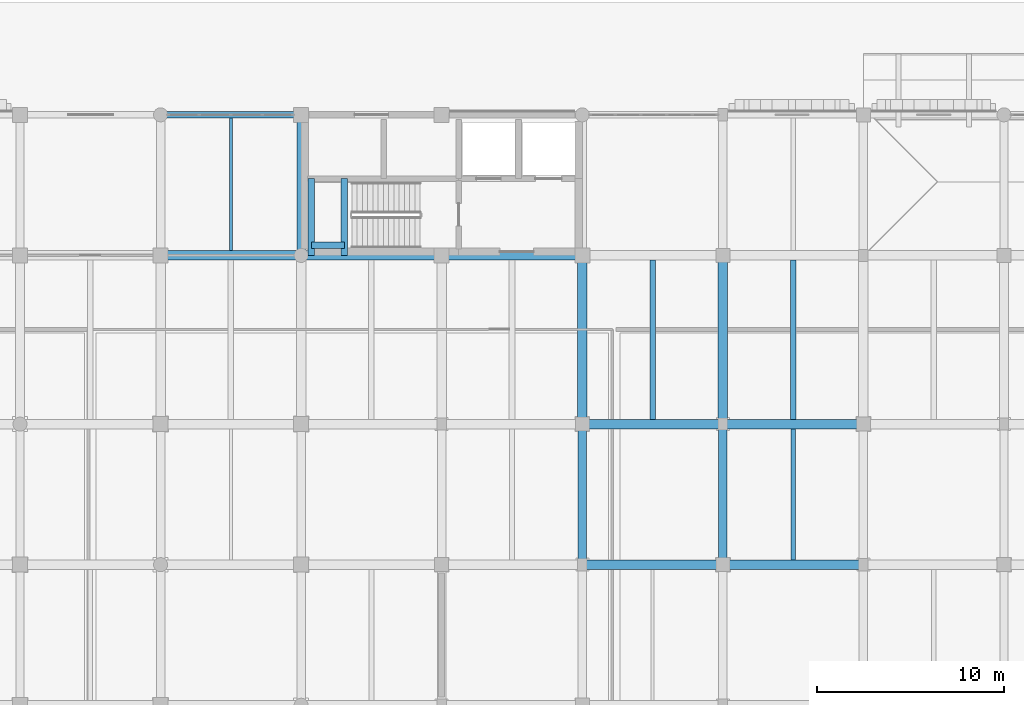
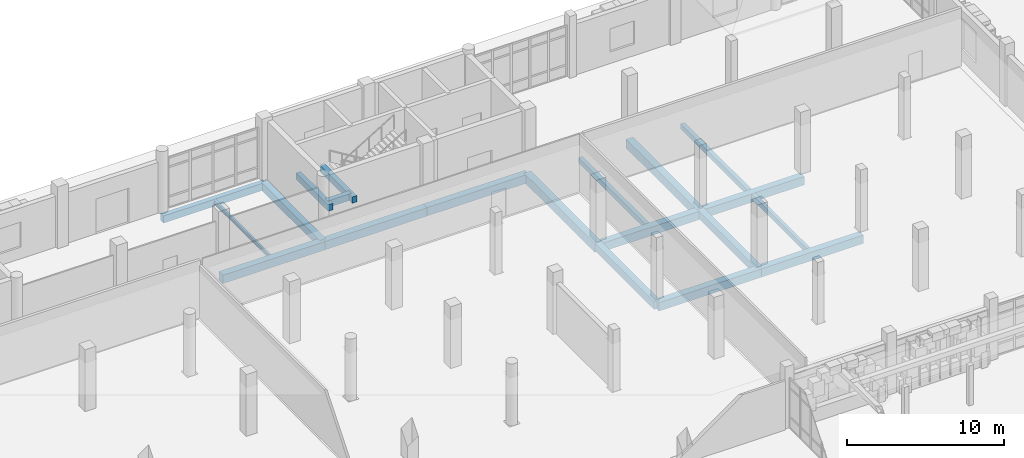
# One storey, part 52 of 125: 20 beams.
"""IFC4 building model written with IfcOpenShell, lengths in metres."""

import ifcopenshell
import ifcopenshell.guid

model = None  # the IFC model being written
_history = None  # IfcOwnerHistory: only IFC2X3 demands one
_inside = {}  # id of a spatial element -> (the spatial element, [elements in it])
_under = {}  # id of a project, library or spatial element -> (it, [spatial elements below it])
_declared = {}  # id of a project -> (the project, [libraries it declares])
_typed = {}  # id of a type object -> (the type object, [elements of that type])
_made_of = {}  # id of a material, layer set ... -> (it, [elements and type objects made of it])


def new_model(schema):
    """Start an empty IFC model of exactly this schema.

    Asked for "IFC4X3", IfcOpenShell would pick the latest addendum, in which some entities
    have other attributes; the version numbers below select the first issue.
    IFC2X3 requires an IfcOwnerHistory on every rooted entity: one is made here for all.
    """
    global model, _history
    if schema == "IFC4X3":
        model = ifcopenshell.file(schema_version=(4, 3, 0, 0))
    else:
        model = ifcopenshell.file(schema=schema)
    _inside.clear()
    _under.clear()
    _declared.clear()
    _typed.clear()
    _made_of.clear()
    _history = None
    if model.schema == "IFC2X3":
        org = make("IfcOrganization", Name="unknown")
        user = make(
            "IfcPersonAndOrganization",
            ThePerson=make("IfcPerson", FamilyName="unknown"),
            TheOrganization=org,
        )
        app = make(
            "IfcApplication",
            ApplicationDeveloper=org,
            Version="unknown",
            ApplicationFullName="unknown",
            ApplicationIdentifier="unknown",
        )
        _history = make(
            "IfcOwnerHistory",
            OwningUser=user,
            OwningApplication=app,
            ChangeAction="ADDED",
            CreationDate=0,
        )
    return model


def make(cls, **values):
    """One entity of the class cls with the attributes given. An attribute that is None is left unset."""
    return model.create_entity(
        cls, **{name: value for name, value in values.items() if value is not None}
    )


def rooted(cls, **values):
    """An entity with a GlobalId (a new one), such as an element, a storey or a relation."""
    return make(cls, GlobalId=ifcopenshell.guid.new(), OwnerHistory=_history, **values)


def si_unit(unit_type, name, prefix=None):
    """IfcSIUnit, for example si_unit("LENGTHUNIT", "METRE", prefix="MILLI")."""
    return make("IfcSIUnit", UnitType=unit_type, Prefix=prefix, Name=name)


def assignment(units):
    """IfcUnitAssignment: the units of a project."""
    return None if units is None else make("IfcUnitAssignment", Units=units)


def point(xyz):
    """IfcCartesianPoint."""
    return None if xyz is None else make("IfcCartesianPoint", Coordinates=xyz)


def direction(xyz):
    """IfcDirection."""
    return None if xyz is None else make("IfcDirection", DirectionRatios=xyz)


def frame(location, z_axis=None, x_axis=None):
    """IfcAxis2Placement3D, a coordinate frame: its origin and axes. An axis left out is left unset."""
    return make(
        "IfcAxis2Placement3D",
        Location=point(location),
        Axis=direction(z_axis),
        RefDirection=direction(x_axis),
    )


def frame_2d(location, x_axis=None):
    """IfcAxis2Placement2D, a coordinate frame in the plane: its origin and x axis."""
    return make(
        "IfcAxis2Placement2D", Location=point(location), RefDirection=direction(x_axis)
    )


def origin():
    """The frame at (0, 0, 0) with its axes left unset."""
    return frame((0.0, 0.0, 0.0))


def origin_2d():
    """The frame at (0, 0) in the plane with its x axis left unset."""
    return frame_2d((0.0, 0.0))


def place(relative_to, where):
    """IfcLocalPlacement: puts the frame where relative to a parent placement (None: the world)."""
    return make(
        "IfcLocalPlacement", PlacementRelTo=relative_to, RelativePlacement=where
    )


def context(
    kind, dimensions, precision=None, world=None, true_north=None, identifier=None
):
    """IfcGeometricRepresentationContext, for example the 3D "Model" context."""
    return make(
        "IfcGeometricRepresentationContext",
        ContextIdentifier=identifier,
        ContextType=kind,
        CoordinateSpaceDimension=dimensions,
        Precision=precision,
        WorldCoordinateSystem=world,
        TrueNorth=true_north,
    )


def subcontext(parent, identifier, kind, view, scale=None):
    """IfcGeometricRepresentationSubContext, for example "Body" below "Model"."""
    return make(
        "IfcGeometricRepresentationSubContext",
        ContextIdentifier=identifier,
        ContextType=kind,
        ParentContext=parent,
        TargetScale=scale,
        TargetView=view,
    )


def project(units=None, contexts=None):
    """IfcProject with its units and contexts."""
    return rooted(
        "IfcProject",
        Name="project",
        RepresentationContexts=contexts,
        UnitsInContext=assignment(units),
    )


def spatial(cls, under=None, at=None, **own):
    """A site, building, storey or space (cls), placed at a placement, below another one or the project."""
    s = rooted(cls, ObjectPlacement=at, **own)
    if under is not None:
        _under.setdefault(under.id(), (under, []))[1].append(s)
    return s


def profile(cls, at=None, kind="AREA", **sizes):
    """A parametric profile (cls). Its sizes go by their IFC names, for example OverallWidth=200.0."""
    return make(cls, ProfileType=kind, Position=at, **sizes)


def rectangle(**sizes):
    """IfcRectangleProfileDef."""
    return profile("IfcRectangleProfileDef", **sizes)


def i_section(**sizes):
    """IfcIShapeProfileDef."""
    return profile("IfcIShapeProfileDef", **sizes)


def extrude(swept, where, along, depth):
    """IfcExtrudedAreaSolid: the profile swept, set in the frame where, extruded along a direction by depth."""
    return make(
        "IfcExtrudedAreaSolid",
        SweptArea=swept,
        Position=where,
        ExtrudedDirection=direction(along),
        Depth=depth,
    )


def shape(context_of_items, identifier, shape_type, items):
    """IfcShapeRepresentation: the items that make up one representation, for example the "Body"."""
    return make(
        "IfcShapeRepresentation",
        ContextOfItems=context_of_items,
        RepresentationIdentifier=identifier,
        RepresentationType=shape_type,
        Items=items,
    )


def material(Name=None, Category=None):
    """IfcMaterial."""
    return make("IfcMaterial", Name=Name, Category=Category)


def material_profile(
    of_material, cross_section, Name=None, Category=None, Priority=None
):
    """IfcMaterialProfile: a cross section and its material."""
    return make(
        "IfcMaterialProfile",
        Name=Name,
        Material=of_material,
        Profile=cross_section,
        Priority=Priority,
        Category=Category,
    )


def profile_set(profiles, Name=None, composite=None):
    """IfcMaterialProfileSet."""
    return make(
        "IfcMaterialProfileSet",
        Name=Name,
        MaterialProfiles=profiles,
        CompositeProfile=composite,
    )


def made_of(thing, what):
    """Note that an element or type object is made of a material, layer set ...; save() writes the relation."""
    if what is not None:
        _made_of.setdefault(what.id(), (what, []))[1].append(thing)
    return thing


def type_object(cls, material=None, **own):
    """A type object (cls), such as IfcWallType, which elements share."""
    return made_of(rooted(cls, **own), material)


def element(
    cls,
    number,
    at=None,
    inside=None,
    cuts=None,
    type_object=None,
    material=None,
    context=None,
    identifier="Body",
    shape_type=None,
    held_by="IfcProductDefinitionShape",
    body=None,
    shapes=None,
    **own,
):
    """One element of the class cls, such as IfcWall. Its Tag is "e" and its number.

    at: its placement. inside: the storey or other place that contains it. cuts: it is an
    opening in that element (IfcRelVoidsElement). A single representation is given by context,
    identifier, shape_type and body (its items); several are given by shapes. held_by: the class
    of the entity that holds the representations. save() writes the other relations.
    """
    e = rooted(cls, Tag="e%d" % number, ObjectPlacement=at, **own)
    if body is not None:
        shapes = [shape(context, identifier, shape_type, body)]
    if shapes is not None:
        e.Representation = make(held_by, Representations=shapes)
    if inside is not None:
        _inside.setdefault(inside.id(), (inside, []))[1].append(e)
    if cuts is not None:
        rooted(
            "IfcRelVoidsElement", RelatingBuildingElement=cuts, RelatedOpeningElement=e
        )
    if type_object is not None:
        _typed.setdefault(type_object.id(), (type_object, []))[1].append(e)
    return made_of(e, material)


def aggregate(whole, parts):
    """IfcRelAggregates: a whole, such as a stair, and the parts it consists of."""
    return rooted("IfcRelAggregates", RelatingObject=whole, RelatedObjects=parts)


def save(model, path):
    """Write the relations noted so far, then the file.

    IfcRelAggregates (storeys below a building ...), IfcRelContainedInSpatialStructure (elements
    in a storey), IfcRelDefinesByType, IfcRelAssociatesMaterial and IfcRelDeclares: one each for
    every whole, place, type object, material and project.
    """
    for whole, parts in _under.values():
        aggregate(whole, parts)
    for where, things in _inside.values():
        rooted(
            "IfcRelContainedInSpatialStructure",
            RelatedElements=things,
            RelatingStructure=where,
        )
    for kind, things in _typed.values():
        rooted("IfcRelDefinesByType", RelatedObjects=things, RelatingType=kind)
    for what, things in _made_of.values():
        rooted("IfcRelAssociatesMaterial", RelatedObjects=things, RelatingMaterial=what)
    for by, libraries in _declared.values():
        rooted("IfcRelDeclares", RelatingContext=by, RelatedDefinitions=libraries)
    model.write(path)


model = new_model("IFC4")

# Units and contexts
model_context = context("Model", 3, precision=1e-05, world=origin(), true_north=direction((0.0, 1.0)))
body_context = subcontext(model_context, "Body", "Model", "MODEL_VIEW")
ifc_project = project(units=[si_unit("LENGTHUNIT", "METRE"), si_unit("AREAUNIT", "SQUARE_METRE"), si_unit("VOLUMEUNIT", "CUBIC_METRE"), si_unit("PLANEANGLEUNIT", "RADIAN"), si_unit("MASSUNIT", "GRAM", prefix="KILO")], contexts=[model_context])

# Site, building, storey
site_placement = place(None, origin())
site = spatial("IfcSite", under=ifc_project, at=site_placement, CompositionType="ELEMENT")
building_placement = place(site_placement, origin())
building = spatial("IfcBuilding", under=site, at=building_placement, Name="Dalvernix Boulevard General Hospital", CompositionType="ELEMENT")
storey_placement = place(building_placement, origin())
storey = spatial("IfcBuildingStorey", under=building, at=storey_placement, Name="L00", CompositionType="ELEMENT", Elevation=0.0)

# Beams
ifc_material_1 = material(Name="Concrete C35/45", Category="concrete")
ifc_material_profile_1 = material_profile(ifc_material_1, rectangle(XDim=0.5, YDim=0.699951171875, at=origin_2d()), Name="RCB 500x700")
ifc_profile_set_1 = profile_set([ifc_material_profile_1], Name="Concrete C35/45")
beam_type_1 = type_object("IfcBeamType", Name="BM-B-01-I", PredefinedType="BEAM", material=ifc_profile_set_1)
for number, where, z_axis, x_axis, name in (
    (1, (112.5, 100.5, -0.7099609375), (0.0, 1.0, 0.0), (-1.0, 0.0, 0.0), "L00 N-S girder 16:P-Q"),
    (2, (120.0, 100.5, -0.7099609375), (0.0, 1.0, 0.0), (-1.0, 0.0, 0.0), "L00 N-S girder 17:P-Q"),
):
    element("IfcBeam", number, at=place(storey_placement, frame(where, z_axis=z_axis, x_axis=x_axis)), inside=storey, type_object=beam_type_1, Name=name, PredefinedType="BEAM", context=body_context, shape_type="SweptSolid", body=[
        extrude(rectangle(XDim=0.5, YDim=0.699951171875, at=origin_2d()), origin(), (0.0, 0.0, 1.0), 9.0),
    ])
ifc_material_profile_2 = material_profile(ifc_material_1, rectangle(XDim=0.5, YDim=0.64990234375, at=origin_2d()), Name="RCB 500x650")
ifc_profile_set_2 = profile_set([ifc_material_profile_2], Name="Concrete C35/45")
beam_type_2 = type_object("IfcBeamType", Name="BM-B-02-I", PredefinedType="BEAM", material=ifc_profile_set_2)
for number, where, z_axis, x_axis, name in (
    (3, (112.5, 93.0, -0.68505859375), (1.0, 0.0, 0.0), (0.0, 1.0, 0.0), "L00 E-W girder N:16-17"),
    (4, (120.0, 93.0, -0.68505859375), (1.0, 0.0, 0.0), (0.0, 1.0, 0.0), "L00 E-W girder N:17-18"),
    (5, (112.5, 100.5, -0.68505859375), (1.0, 0.0, 0.0), (0.0, 1.0, 0.0), "L00 E-W girder P:16-17"),
    (6, (120.0, 100.5, -0.68505859375), (1.0, 0.0, 0.0), (0.0, 1.0, 0.0), "L00 E-W girder P:17-18"),
    (7, (90.0, 109.5, -0.68505859375), (1.0, 0.0, 0.0), (0.0, 1.0, 0.0), "L00 E-W girder Q:13-14"),
    (8, (97.5, 109.5, -0.68505859375), (1.0, 0.0, 0.0), (0.0, 1.0, 0.0), "L00 E-W girder Q:14-15"),
    (9, (105.0, 109.5, -0.68505859375), (1.0, 0.0, 0.0), (0.0, 1.0, 0.0), "L00 E-W girder Q:15-16"),
):
    element("IfcBeam", number, at=place(storey_placement, frame(where, z_axis=z_axis, x_axis=x_axis)), inside=storey, type_object=beam_type_2, Name=name, PredefinedType="BEAM", context=body_context, shape_type="SweptSolid", body=[
        extrude(rectangle(XDim=0.5, YDim=0.64990234375, at=origin_2d()), origin(), (0.0, 0.0, 1.0), 7.5),
    ])
ifc_material_profile_3 = material_profile(ifc_material_1, rectangle(XDim=0.449951171875, YDim=0.60009765625, at=origin_2d()), Name="RCB 450x600")
ifc_profile_set_3 = profile_set([ifc_material_profile_3], Name="Concrete C35/45")
beam_type_3 = type_object("IfcBeamType", Name="BM-B-04-I", PredefinedType="BEAM", material=ifc_profile_set_3)
for number, where, z_axis, x_axis, name in (
    (10, (97.5, 109.5, -0.659912109375), (0.0, 1.0, 0.0), (-1.0, 0.0, 0.0), "L00 N-S girder 14:Q-R"),
    (11, (112.5, 93.0, -0.659912109375), (0.0, 1.0, 0.0), (-1.0, 0.0, 0.0), "L00 N-S girder 16:N-P"),
    (12, (120.0, 93.0, -0.659912109375), (0.0, 1.0, 0.0), (-1.0, 0.0, 0.0), "L00 N-S girder 17:N-P"),
):
    element("IfcBeam", number, at=place(storey_placement, frame(where, z_axis=z_axis, x_axis=x_axis)), inside=storey, type_object=beam_type_3, Name=name, PredefinedType="BEAM", context=body_context, shape_type="SweptSolid", body=[
        extrude(rectangle(XDim=0.449951171875, YDim=0.60009765625, at=origin_2d()), origin(), (0.0, 0.0, 1.0), 7.5),
    ])
ifc_material_profile_4 = material_profile(ifc_material_1, rectangle(XDim=0.35009765625, YDim=0.5, at=origin_2d()), Name="RCB 350x500")
ifc_profile_set_4 = profile_set([ifc_material_profile_4], Name="Concrete C35/45")
beam_type_4 = type_object("IfcBeamType", Name="BM-B-08", PredefinedType="BEAM", material=ifc_profile_set_4)
for number, where, z_axis, x_axis, name in (
    (13, (98.050048828125, 109.5, 1.949951171875), (0.0, 1.0, 0.0), (-1.0, 0.0, 0.0), "L00 C4 stair half-landing beam 1"),
    (14, (99.800048828125, 109.5, 1.949951171875), (0.0, 1.0, 0.0), (-1.0, 0.0, 0.0), "L00 C4 stair half-landing beam 2"),
):
    element("IfcBeam", number, at=place(storey_placement, frame(where, z_axis=z_axis, x_axis=x_axis)), inside=storey, type_object=beam_type_4, Name=name, PredefinedType="BEAM", context=body_context, shape_type="SweptSolid", body=[
        extrude(rectangle(XDim=0.35009765625, YDim=0.5, at=origin_2d()), origin(), (0.0, 0.0, 1.0), 4.10009765625),
    ])
beam_1_placement = place(storey_placement, frame((98.050048828125, 110.050048828125, 1.949951171875), z_axis=(1.0, 0.0, 0.0), x_axis=(0.0, 1.0, 0.0)))
element("IfcBeam", 15, at=beam_1_placement, inside=storey, type_object=beam_type_4, Name="L00 C4 stair half-landing tie beam", PredefinedType="BEAM", context=body_context, shape_type="SweptSolid", body=[
    extrude(rectangle(XDim=0.35009765625, YDim=0.5, at=origin_2d()), origin(), (0.0, 0.0, 1.0), 1.75),
])
ifc_material_profile_5 = material_profile(ifc_material_1, rectangle(XDim=0.300048828125, YDim=0.39990234375, at=origin_2d()), Name="RCB 300x400")
ifc_profile_set_5 = profile_set([ifc_material_profile_5], Name="Concrete C35/45")
beam_type_5 = type_object("IfcBeamType", Name="BM-JB-01", PredefinedType="JOIST", material=ifc_profile_set_5)
for number, where, z_axis, x_axis, name in (
    (16, (116.25, 100.75, -0.56005859375), (0.0, 1.0, 0.0), (-1.0, 0.0, 0.0), "L00 secondary floor beam 16-P"),
    (17, (123.75, 100.75, -0.56005859375), (0.0, 1.0, 0.0), (-1.0, 0.0, 0.0), "L00 secondary floor beam 17-P"),
):
    element("IfcBeam", number, at=place(storey_placement, frame(where, z_axis=z_axis, x_axis=x_axis)), inside=storey, type_object=beam_type_5, Name=name, PredefinedType="JOIST", context=body_context, shape_type="SweptSolid", body=[
        extrude(rectangle(XDim=0.300048828125, YDim=0.39990234375, at=origin_2d()), origin(), (0.0, 0.0, 1.0), 8.5),
    ])
ifc_material_profile_6 = material_profile(ifc_material_1, rectangle(XDim=0.25, YDim=0.39990234375, at=origin_2d()), Name="RCB 250x400")
ifc_profile_set_6 = profile_set([ifc_material_profile_6], Name="Concrete C35/45")
beam_type_6 = type_object("IfcBeamType", Name="BM-JB-02", PredefinedType="JOIST", material=ifc_profile_set_6)
beam_2_placement = place(storey_placement, frame((123.75, 93.25, -0.56005859375), z_axis=(0.0, 1.0, 0.0), x_axis=(-1.0, 0.0, 0.0)))
element("IfcBeam", 18, at=beam_2_placement, inside=storey, type_object=beam_type_6, Name="L00 secondary floor beam 17-N", PredefinedType="JOIST", context=body_context, shape_type="SweptSolid", body=[
    extrude(rectangle(XDim=0.25, YDim=0.39990234375, at=origin_2d()), origin(), (0.0, 0.0, 1.0), 7.0),
])
ifc_material_2 = material(Name="Steel S355", Category="steel")
ifc_material_profile_7 = material_profile(ifc_material_2, i_section(OverallWidth=0.14990234375, OverallDepth=0.300048828125, WebThickness=0.007080078125, FlangeThickness=0.0107421875, FilletRadius=0.014892578125, at=origin_2d()), Name="IPE 300")
ifc_profile_set_7 = profile_set([ifc_material_profile_7], Name="Steel S355")
beam_type_7 = type_object("IfcBeamType", Name="BM-JB-03", PredefinedType="JOIST", material=ifc_profile_set_7)
beam_3_placement = place(storey_placement, frame((93.75, 109.75, -0.510009765625), z_axis=(0.0, 1.0, 0.0), x_axis=(-1.0, 0.0, 0.0)))
element("IfcBeam", 19, at=beam_3_placement, inside=storey, type_object=beam_type_7, Name="L00 secondary floor beam 13-Q", PredefinedType="JOIST", context=body_context, shape_type="SweptSolid", body=[
    extrude(i_section(OverallWidth=0.14990234375, OverallDepth=0.300048828125, WebThickness=0.007080078125, FlangeThickness=0.0107421875, FilletRadius=0.014892578125, at=origin_2d()), origin(), (0.0, 0.0, 1.0), 7.074951171875),
])
ifc_material_profile_8 = material_profile(ifc_material_1, rectangle(XDim=0.35009765625, YDim=0.550048828125, at=origin_2d()), Name="RCB 350x550")
ifc_profile_set_8 = profile_set([ifc_material_profile_8], Name="Concrete C35/45")
beam_type_8 = type_object("IfcBeamType", Name="BM-SB-01-E", PredefinedType="SPANDREL", material=ifc_profile_set_8)
beam_4_placement = place(storey_placement, frame((90.0, 117.0, -0.635009765625), z_axis=(1.0, 0.0, 0.0), x_axis=(0.0, 1.0, 0.0)))
element("IfcBeam", 20, at=beam_4_placement, inside=storey, type_object=beam_type_8, Name="L00 E-W girder R:13-14", PredefinedType="SPANDREL", context=body_context, shape_type="SweptSolid", body=[
    extrude(rectangle(XDim=0.35009765625, YDim=0.550048828125, at=origin_2d()), origin(), (0.0, 0.0, 1.0), 7.5),
])

save(model, "model.ifc")
